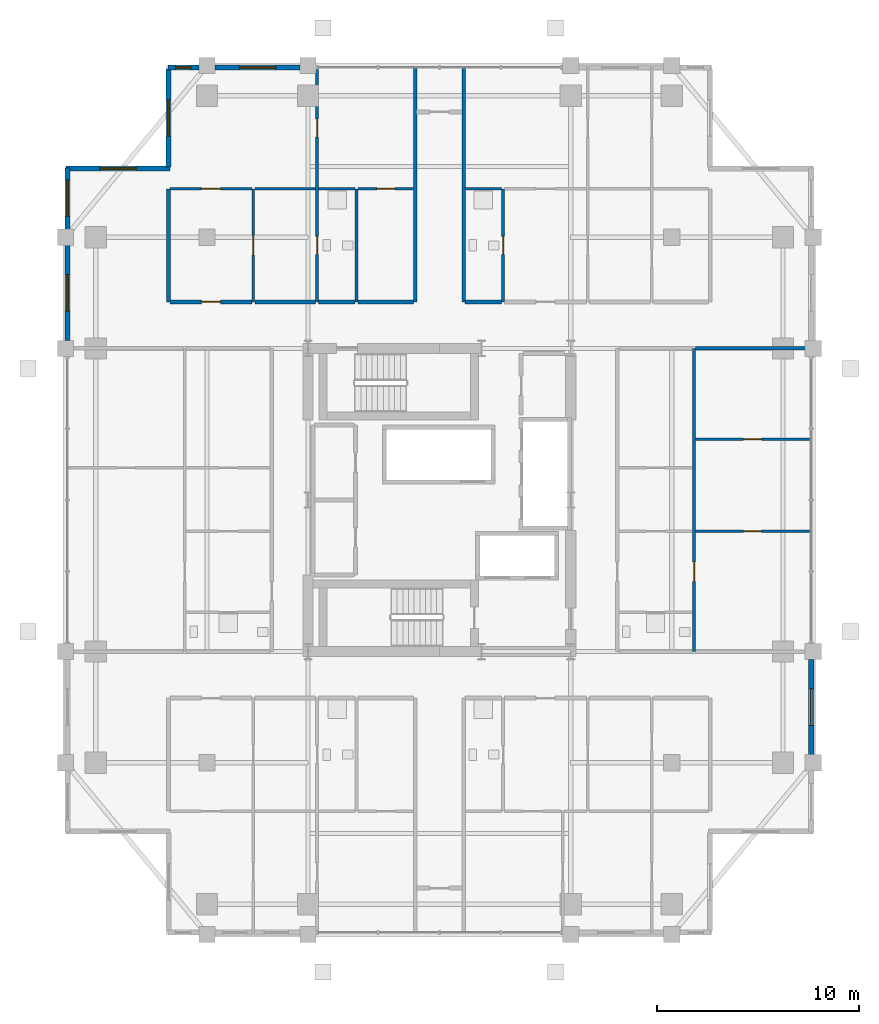
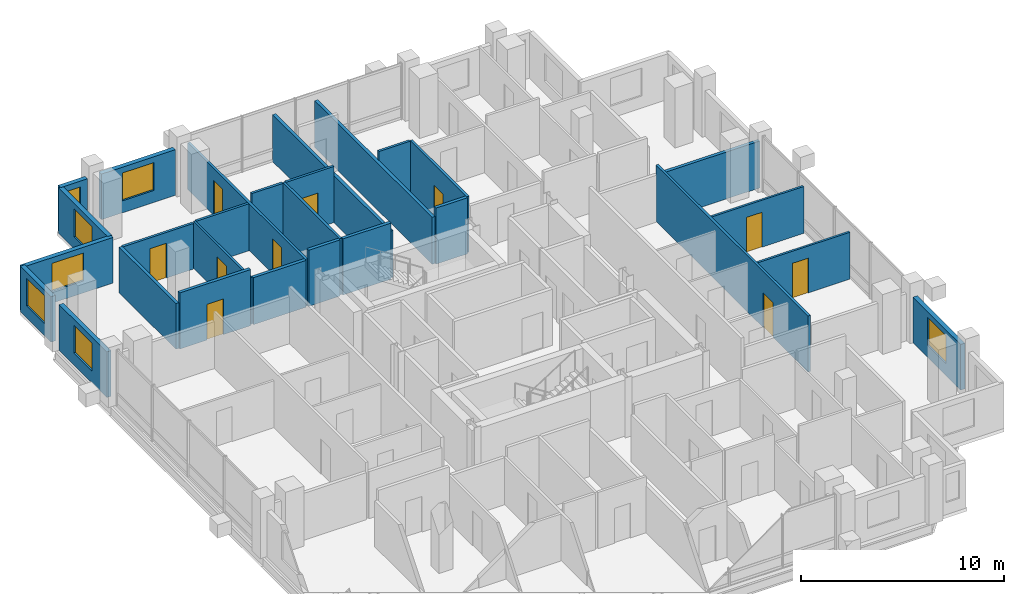
# One storey, part 21 of 24: 28 walls, 10 doors, 7 windows, 17 openings.
"""IFC4 building model written with IfcOpenShell, lengths in metres."""

from ifc_helpers import new_model, si_unit, direction, frame, frame_2d, origin, place, context, subcontext, project, spatial, rectangle, extrude, material, layer, layer_set, type_object, element, fill, save


model = new_model("IFC4")

# Units and contexts
model_context = context("Model", 3, precision=1e-05, world=origin(), true_north=direction((0.0, 1.0)))
body_context = subcontext(model_context, "Body", "Model", "MODEL_VIEW")
ifc_project = project(units=[si_unit("LENGTHUNIT", "METRE"), si_unit("AREAUNIT", "SQUARE_METRE"), si_unit("VOLUMEUNIT", "CUBIC_METRE"), si_unit("PLANEANGLEUNIT", "RADIAN"), si_unit("MASSUNIT", "GRAM", prefix="KILO")], contexts=[model_context])

# Site, building, storey
site_placement = place(None, origin())
site = spatial("IfcSite", under=ifc_project, at=site_placement, CompositionType="ELEMENT")
building_placement = place(site_placement, origin())
building = spatial("IfcBuilding", under=site, at=building_placement, Name="Barlavira Tower and Art Museum", CompositionType="ELEMENT")
storey_placement = place(building_placement, frame((0.0, 0.0, 169.199951171875)))
storey = spatial("IfcBuildingStorey", under=building, at=storey_placement, Name="L43", CompositionType="ELEMENT", Elevation=169.199951171875)

# Wall, opening, door
ifc_material_1 = material(Name="Gypsum acoustic stud partition", Category="gypsum")
ifc_layer_1 = layer(ifc_material_1, 0.1201171875, Name="Gypsum acoustic stud partition")
ifc_layer_set_1 = layer_set([ifc_layer_1], Name="Gypsum acoustic stud partition")
wall_type_1 = type_object("IfcWallType", Name="Apartment Internal Acoustic Partition 120", PredefinedType="PARTITIONING", material=ifc_layer_set_1)
wall_1_placement = place(storey_placement, frame((-9.199951171875, 9.800048828125, 0.0), z_axis=(0.0, 0.0, 1.0), x_axis=(0.0, 1.0, 0.0)))
wall_1 = element("IfcWall", 1, at=wall_1_placement, inside=storey, type_object=wall_type_1, Name="L43 Partition Wall 5", PredefinedType="PARTITIONING", context=body_context, shape_type="SweptSolid", body=[
    extrude(rectangle(XDim=5.599853515625, YDim=0.1201171875, at=frame_2d((2.7998046875, 0.0))), origin(), (0.0, 0.0, 1.0), 2.825927734375),
])
opening_1_placement = place(wall_1_placement, frame((2.324951171875, 0.0, 0.0)))
opening_1 = element("IfcOpeningElement", 2, at=opening_1_placement, cuts=wall_1, Name="Opening D-02", PredefinedType="OPENING", context=body_context, shape_type="SweptSolid", body=[
    extrude(rectangle(XDim=0.949951171875, YDim=2.10009765625, at=frame_2d((0.47509765625, 1.050048828125))), frame((0.0, 0.070068359375, 0.0), z_axis=(0.0, -1.0, 0.0), x_axis=(1.0, 0.0, 0.0)), (0.0, 0.0, 1.0), 0.14013671875),
])
ifc_material_2 = material(Name="Engineered coastal hardwood", Category="wood")
door_type_1 = type_object("IfcDoorType", Name="Living and Salon Glazed-Leaf Door 950x2100", OperationType="NOTDEFINED", PredefinedType="DOOR", material=ifc_material_2)
door_1_placement = place(opening_1_placement, origin())
door_1 = element("IfcDoor", 3, at=door_1_placement, inside=storey, type_object=door_type_1, Name="Apartment NW1 Kitchen Door", OperationType="SINGLE_SWING_RIGHT", OverallHeight=2.10009765625, OverallWidth=0.949951171875, PredefinedType="DOOR", context=body_context, shape_type="SweptSolid", body=[
    extrude(rectangle(XDim=0.949951171875, YDim=2.10009765625, at=frame_2d((0.47509765625, 1.050048828125))), frame((0.0, 0.02490234375, 0.0), z_axis=(0.0, -1.0, 0.0), x_axis=(1.0, 0.0, 0.0)), (0.0, 0.0, 1.0), 0.050048828125),
])
fill(opening_1, door_1)

wall_2_placement = place(storey_placement, frame((12.679931640625, -1.550048828125, 0.0), z_axis=(0.0, 0.0, 1.0), x_axis=(1.0, 0.0, 0.0)))
wall_2 = element("IfcWall", 4, at=wall_2_placement, inside=storey, type_object=wall_type_1, Name="L43 Partition Wall 56", PredefinedType="PARTITIONING", context=body_context, shape_type="SweptSolid", body=[
    extrude(rectangle(XDim=5.64013671875, YDim=0.1201171875, at=frame_2d((2.820068359375, 0.0))), origin(), (0.0, 0.0, 1.0), 2.825927734375),
])
opening_2_placement = place(wall_2_placement, frame((2.3701171875, 0.0, 0.0)))
opening_2 = element("IfcOpeningElement", 5, at=opening_2_placement, cuts=wall_2, Name="Opening D-01", PredefinedType="OPENING", context=body_context, shape_type="SweptSolid", body=[
    extrude(rectangle(XDim=0.89990234375, YDim=2.10009765625, at=frame_2d((0.449951171875, 1.050048828125))), frame((0.0, 0.070068359375, 0.0), z_axis=(0.0, -1.0, 0.0), x_axis=(1.0, 0.0, 0.0)), (0.0, 0.0, 1.0), 0.14013671875),
])
door_type_2 = type_object("IfcDoorType", Name="Internal Bedroom Timber Flush Door 900x2100", OperationType="NOTDEFINED", PredefinedType="DOOR", material=ifc_material_2)
door_2_placement = place(opening_2_placement, origin())
door_2 = element("IfcDoor", 6, at=door_2_placement, inside=storey, type_object=door_type_2, Name="Apartment E1 Bedroom 1 Door", OperationType="SINGLE_SWING_LEFT", OverallHeight=2.10009765625, OverallWidth=0.89990234375, PredefinedType="DOOR", context=body_context, shape_type="SweptSolid", body=[
    extrude(rectangle(XDim=0.89990234375, YDim=2.10009765625, at=frame_2d((0.449951171875, 1.050048828125))), frame((0.0, 0.02490234375, 0.0), z_axis=(0.0, -1.0, 0.0), x_axis=(1.0, 0.0, 0.0)), (0.0, 0.0, 1.0), 0.050048828125),
])
fill(opening_2, door_2)

wall_3_placement = place(storey_placement, frame((12.679931640625, 3.0, 0.0), z_axis=(0.0, 0.0, 1.0), x_axis=(1.0, 0.0, 0.0)))
wall_3 = element("IfcWall", 7, at=wall_3_placement, inside=storey, type_object=wall_type_1, Name="L43 Partition Wall 61", PredefinedType="PARTITIONING", context=body_context, shape_type="SweptSolid", body=[
    extrude(rectangle(XDim=5.64013671875, YDim=0.1201171875, at=frame_2d((2.820068359375, 0.0))), origin(), (0.0, 0.0, 1.0), 2.825927734375),
])
opening_3_placement = place(wall_3_placement, frame((2.3701171875, 0.0, 0.0)))
opening_3 = element("IfcOpeningElement", 8, at=opening_3_placement, cuts=wall_3, Name="Opening D-01", PredefinedType="OPENING", context=body_context, shape_type="SweptSolid", body=[
    extrude(rectangle(XDim=0.89990234375, YDim=2.10009765625, at=frame_2d((0.449951171875, 1.050048828125))), frame((0.0, 0.070068359375, 0.0), z_axis=(0.0, -1.0, 0.0), x_axis=(1.0, 0.0, 0.0)), (0.0, 0.0, 1.0), 0.14013671875),
])
door_3_placement = place(opening_3_placement, origin())
door_3 = element("IfcDoor", 9, at=door_3_placement, inside=storey, type_object=door_type_2, Name="Apartment E1 Bedroom 2 Door", OperationType="SINGLE_SWING_RIGHT", OverallHeight=2.10009765625, OverallWidth=0.89990234375, PredefinedType="DOOR", context=body_context, shape_type="SweptSolid", body=[
    extrude(rectangle(XDim=0.89990234375, YDim=2.10009765625, at=frame_2d((0.449951171875, 1.050048828125))), frame((0.0, 0.02490234375, 0.0), z_axis=(0.0, -1.0, 0.0), x_axis=(1.0, 0.0, 0.0)), (0.0, 0.0, 1.0), 0.050048828125),
])
fill(opening_3, door_3)

# Walls
ifc_layer_2 = layer(ifc_material_1, 0.179931640625, Name="Gypsum acoustic stud partition")
ifc_layer_set_2 = layer_set([ifc_layer_2], Name="Gypsum acoustic stud partition")
wall_type_2 = type_object("IfcWallType", Name="Inter-Tenancy Party Partition Wall 180", PredefinedType="PARTITIONING", material=ifc_layer_set_2)
wall_4_placement = place(storey_placement, frame((-13.39990234375, 9.800048828125, 0.0), z_axis=(0.0, 0.0, 1.0), x_axis=(0.0, 1.0, 0.0)))
element("IfcWall", 10, at=wall_4_placement, inside=storey, type_object=wall_type_2, Name="L43 Partition Wall 2", PredefinedType="PARTITIONING", context=body_context, shape_type="SweptSolid", body=[
    extrude(rectangle(XDim=5.599853515625, YDim=0.179931640625, at=frame_2d((2.7998046875, 0.0))), origin(), (0.0, 0.0, 1.0), 2.748046875),
])
for number, where, z_axis, x_axis, name in (
    (11, (-1.199951171875, 9.800048828125, 0.0), (0.0, 0.0, 1.0), (0.0, 1.0, 0.0), "L43 Partition Wall 14"),
    (12, (1.199951171875, 9.800048828125, 0.0), (0.0, 0.0, 1.0), (0.0, 1.0, 0.0), "L43 Partition Wall 16"),
):
    element("IfcWall", number, at=place(storey_placement, frame(where, z_axis=z_axis, x_axis=x_axis)), inside=storey, type_object=wall_type_2, Name=name, PredefinedType="PARTITIONING", context=body_context, shape_type="SweptSolid", body=[
        extrude(rectangle(XDim=11.599853515625, YDim=0.179931640625, at=frame_2d((5.7998046875, 0.0))), origin(), (0.0, 0.0, 1.0), 2.825927734375),
    ])
wall_5_placement = place(storey_placement, frame((12.679931640625, 7.5, 0.0), z_axis=(0.0, 0.0, 1.0), x_axis=(1.0, 0.0, 0.0)))
element("IfcWall", 13, at=wall_5_placement, inside=storey, type_object=wall_type_2, Name="L43 Partition Wall 67", PredefinedType="PARTITIONING", context=body_context, shape_type="SweptSolid", body=[
    extrude(rectangle(XDim=5.719970703125, YDim=0.179931640625, at=frame_2d((2.85986328125, 0.0))), origin(), (0.0, 0.0, 1.0), 2.825927734375),
])

# Wall, opening, door
wall_6_placement = place(storey_placement, frame((-13.320068359375, 9.800048828125, 0.0), z_axis=(0.0, 0.0, 1.0), x_axis=(1.0, 0.0, 0.0)))
wall_6 = element("IfcWall", 14, at=wall_6_placement, inside=storey, type_object=wall_type_2, Name="L43 Partition Wall 68", PredefinedType="PARTITIONING", context=body_context, shape_type="SweptSolid", body=[
    extrude(rectangle(XDim=4.0400390625, YDim=0.179931640625, at=frame_2d((2.02001953125, 0.0))), origin(), (0.0, 0.0, 1.0), 3.380126953125),
])
opening_4_placement = place(wall_6_placement, frame((1.544921875, 0.0, 0.0)))
opening_4 = element("IfcOpeningElement", 15, at=opening_4_placement, cuts=wall_6, Name="Opening FD-60", PredefinedType="OPENING", context=body_context, shape_type="SweptSolid", body=[
    extrude(rectangle(XDim=0.949951171875, YDim=2.14990234375, at=frame_2d((0.47509765625, 1.074951171875))), frame((0.0, 0.10009765625, 0.0), z_axis=(0.0, -1.0, 0.0), x_axis=(1.0, 0.0, 0.0)), (0.0, 0.0, 1.0), 0.199951171875),
])
ifc_material_3 = material(Name="Brushed stainless steel", Category="steel")
door_type_3 = type_object("IfcDoorType", Name="Apartment Entrance and Riser Fire Door 950x2150 FD60S", OperationType="NOTDEFINED", PredefinedType="DOOR", material=ifc_material_3)
door_4_placement = place(opening_4_placement, origin())
door_4 = element("IfcDoor", 16, at=door_4_placement, inside=storey, type_object=door_type_3, Name="Apartment Entrance Hall NW1 Door", OperationType="SINGLE_SWING_LEFT", OverallHeight=2.14990234375, OverallWidth=0.949951171875, PredefinedType="DOOR", context=body_context, shape_type="SweptSolid", body=[
    extrude(rectangle(XDim=0.949951171875, YDim=2.14990234375, at=frame_2d((0.47509765625, 1.074951171875))), frame((0.0, 0.02490234375, 0.0), z_axis=(0.0, -1.0, 0.0), x_axis=(1.0, 0.0, 0.0)), (0.0, 0.0, 1.0), 0.050048828125),
])
fill(opening_4, door_4)

# Walls
wall_7_placement = place(storey_placement, frame((-9.1201171875, 9.800048828125, 0.0), z_axis=(0.0, 0.0, 1.0), x_axis=(1.0, 0.0, 0.0)))
element("IfcWall", 17, at=wall_7_placement, inside=storey, type_object=wall_type_2, Name="L43 Partition Wall 69", PredefinedType="PARTITIONING", context=body_context, shape_type="SweptSolid", body=[
    extrude(rectangle(XDim=2.990234375, YDim=0.179931640625, at=frame_2d((1.4951171875, 0.0))), origin(), (0.0, 0.0, 1.0), 2.825927734375),
])
wall_8_placement = place(storey_placement, frame((-5.969970703125, 9.800048828125, 0.0), z_axis=(0.0, 0.0, 1.0), x_axis=(1.0, 0.0, 0.0)))
element("IfcWall", 18, at=wall_8_placement, inside=storey, type_object=wall_type_2, Name="L43 Partition Wall 70", PredefinedType="PARTITIONING", context=body_context, shape_type="SweptSolid", body=[
    extrude(rectangle(XDim=1.7900390625, YDim=0.179931640625, at=frame_2d((0.89501953125, 0.0))), origin(), (0.0, 0.0, 1.0), 3.380126953125),
])
wall_9_placement = place(storey_placement, frame((-4.02001953125, 9.800048828125, 0.0), z_axis=(0.0, 0.0, 1.0), x_axis=(1.0, 0.0, 0.0)))
element("IfcWall", 19, at=wall_9_placement, inside=storey, type_object=wall_type_2, Name="L43 Partition Wall 71", PredefinedType="PARTITIONING", context=body_context, shape_type="SweptSolid", body=[
    extrude(rectangle(XDim=2.739990234375, YDim=0.179931640625, at=frame_2d((1.3701171875, 0.0))), origin(), (0.0, 0.0, 1.0), 3.380126953125),
])
wall_10_placement = place(storey_placement, frame((1.280029296875, 9.800048828125, 0.0), z_axis=(0.0, 0.0, 1.0), x_axis=(1.0, 0.0, 0.0)))
element("IfcWall", 20, at=wall_10_placement, inside=storey, type_object=wall_type_2, Name="L43 Partition Wall 72", PredefinedType="PARTITIONING", context=body_context, shape_type="SweptSolid", body=[
    extrude(rectangle(XDim=1.7900390625, YDim=0.179931640625, at=frame_2d((0.89501953125, 0.0))), origin(), (0.0, 0.0, 1.0), 3.380126953125),
])

# Wall, openings, doors
ifc_layer_3 = layer(ifc_material_1, 0.139892578125, Name="Gypsum acoustic stud partition")
ifc_layer_set_3 = layer_set([ifc_layer_3], Name="Gypsum acoustic stud partition")
wall_type_3 = type_object("IfcWallType", Name="Moisture-Resistant Bathroom Partition 140", PredefinedType="PARTITIONING", material=ifc_layer_set_3)
wall_11_placement = place(storey_placement, frame((-6.050048828125, 9.800048828125, 0.0), z_axis=(0.0, 0.0, 1.0), x_axis=(0.0, 1.0, 0.0)))
wall_11 = element("IfcWall", 21, at=wall_11_placement, inside=storey, type_object=wall_type_3, Name="L43 Partition Wall 9", PredefinedType="PARTITIONING", context=body_context, shape_type="SweptSolid", body=[
    extrude(rectangle(XDim=11.599853515625, YDim=0.139892578125, at=frame_2d((5.7998046875, 0.0))), origin(), (0.0, 0.0, 1.0), 2.825927734375),
])
opening_5_placement = place(wall_11_placement, frame((2.35009765625, 0.0, 0.0)))
opening_5 = element("IfcOpeningElement", 22, at=opening_5_placement, cuts=wall_11, Name="Opening D-WC", PredefinedType="OPENING", context=body_context, shape_type="SweptSolid", body=[
    extrude(rectangle(XDim=0.89990234375, YDim=2.10009765625, at=frame_2d((0.449951171875, 1.050048828125))), frame((0.0, 0.080078125, 0.0), z_axis=(0.0, -1.0, 0.0), x_axis=(1.0, 0.0, 0.0)), (0.0, 0.0, 1.0), 0.159912109375),
])
opening_6_placement = place(wall_11_placement, frame((8.14990234375, 0.0, 0.0)))
opening_6 = element("IfcOpeningElement", 23, at=opening_6_placement, cuts=wall_11, Name="Opening D-01", PredefinedType="OPENING", context=body_context, shape_type="SweptSolid", body=[
    extrude(rectangle(XDim=0.89990234375, YDim=2.10009765625, at=frame_2d((0.449951171875, 1.050048828125))), frame((0.0, 0.080078125, 0.0), z_axis=(0.0, -1.0, 0.0), x_axis=(1.0, 0.0, 0.0)), (0.0, 0.0, 1.0), 0.159912109375),
])
door_type_4 = type_object("IfcDoorType", Name="Accessible Bathroom Flush Door 900x2100", OperationType="NOTDEFINED", PredefinedType="DOOR", material=ifc_material_2)
door_5_placement = place(opening_5_placement, origin())
door_5 = element("IfcDoor", 24, at=door_5_placement, inside=storey, type_object=door_type_4, Name="Apartment NW1 Hall Bathroom Door", OperationType="SINGLE_SWING_LEFT", OverallHeight=2.10009765625, OverallWidth=0.89990234375, PredefinedType="DOOR", context=body_context, shape_type="SweptSolid", body=[
    extrude(rectangle(XDim=0.89990234375, YDim=2.10009765625, at=frame_2d((0.449951171875, 1.050048828125))), frame((0.0, 0.02490234375, 0.0), z_axis=(0.0, -1.0, 0.0), x_axis=(1.0, 0.0, 0.0)), (0.0, 0.0, 1.0), 0.050048828125),
])
fill(opening_5, door_5)
door_6_placement = place(opening_6_placement, origin())
door_6 = element("IfcDoor", 25, at=door_6_placement, inside=storey, type_object=door_type_2, Name="Apartment NW1 Bedroom 1 Door", OperationType="SINGLE_SWING_RIGHT", OverallHeight=2.10009765625, OverallWidth=0.89990234375, PredefinedType="DOOR", context=body_context, shape_type="SweptSolid", body=[
    extrude(rectangle(XDim=0.89990234375, YDim=2.10009765625, at=frame_2d((0.449951171875, 1.050048828125))), frame((0.0, 0.02490234375, 0.0), z_axis=(0.0, -1.0, 0.0), x_axis=(1.0, 0.0, 0.0)), (0.0, 0.0, 1.0), 0.050048828125),
])
fill(opening_6, door_6)

# Wall
wall_12_placement = place(storey_placement, frame((-4.10009765625, 9.800048828125, 0.0), z_axis=(0.0, 0.0, 1.0), x_axis=(0.0, 1.0, 0.0)))
element("IfcWall", 26, at=wall_12_placement, inside=storey, type_object=wall_type_3, Name="L43 Partition Wall 12", PredefinedType="PARTITIONING", context=body_context, shape_type="SweptSolid", body=[
    extrude(rectangle(XDim=5.599853515625, YDim=0.139892578125, at=frame_2d((2.7998046875, 0.0))), origin(), (0.0, 0.0, 1.0), 3.380126953125),
])

# Wall, opening, door
wall_13_placement = place(storey_placement, frame((3.14990234375, 9.800048828125, 0.0), z_axis=(0.0, 0.0, 1.0), x_axis=(0.0, 1.0, 0.0)))
wall_13 = element("IfcWall", 27, at=wall_13_placement, inside=storey, type_object=wall_type_3, Name="L43 Partition Wall 18", PredefinedType="PARTITIONING", context=body_context, shape_type="SweptSolid", body=[
    extrude(rectangle(XDim=5.599853515625, YDim=0.139892578125, at=frame_2d((2.7998046875, 0.0))), origin(), (0.0, 0.0, 1.0), 3.380126953125),
])
opening_7_placement = place(wall_13_placement, frame((2.35009765625, 0.0, 0.0)))
opening_7 = element("IfcOpeningElement", 28, at=opening_7_placement, cuts=wall_13, Name="Opening D-WC", PredefinedType="OPENING", context=body_context, shape_type="SweptSolid", body=[
    extrude(rectangle(XDim=0.89990234375, YDim=2.10009765625, at=frame_2d((0.449951171875, 1.050048828125))), frame((0.0, 0.080078125, 0.0), z_axis=(0.0, -1.0, 0.0), x_axis=(1.0, 0.0, 0.0)), (0.0, 0.0, 1.0), 0.159912109375),
])
door_7_placement = place(opening_7_placement, origin())
door_7 = element("IfcDoor", 29, at=door_7_placement, inside=storey, type_object=door_type_4, Name="Apartment NE1 Hall Bathroom Door", OperationType="SINGLE_SWING_LEFT", OverallHeight=2.10009765625, OverallWidth=0.89990234375, PredefinedType="DOOR", context=body_context, shape_type="SweptSolid", body=[
    extrude(rectangle(XDim=0.89990234375, YDim=2.10009765625, at=frame_2d((0.449951171875, 1.050048828125))), frame((0.0, 0.02490234375, 0.0), z_axis=(0.0, -1.0, 0.0), x_axis=(1.0, 0.0, 0.0)), (0.0, 0.0, 1.0), 0.050048828125),
])
fill(opening_7, door_7)

wall_14_placement = place(storey_placement, frame((12.60009765625, -7.5, 0.0), z_axis=(0.0, 0.0, 1.0), x_axis=(0.0, 1.0, 0.0)))
wall_14 = element("IfcWall", 30, at=wall_14_placement, inside=storey, type_object=wall_type_3, Name="L43 Partition Wall 26", PredefinedType="PARTITIONING", context=body_context, shape_type="SweptSolid", body=[
    extrude(rectangle(XDim=15.0, YDim=0.139892578125, at=frame_2d((7.5, 0.0))), origin(), (0.0, 0.0, 1.0), 3.380126953125),
])
opening_8_placement = place(wall_14_placement, frame((3.47509765625, 0.0, 0.0)))
opening_8 = element("IfcOpeningElement", 31, at=opening_8_placement, cuts=wall_14, Name="Opening D-02", PredefinedType="OPENING", context=body_context, shape_type="SweptSolid", body=[
    extrude(rectangle(XDim=0.949951171875, YDim=2.10009765625, at=frame_2d((0.47509765625, 1.050048828125))), frame((0.0, 0.080078125, 0.0), z_axis=(0.0, -1.0, 0.0), x_axis=(1.0, 0.0, 0.0)), (0.0, 0.0, 1.0), 0.159912109375),
])
door_8_placement = place(opening_8_placement, origin())
door_8 = element("IfcDoor", 32, at=door_8_placement, inside=storey, type_object=door_type_1, Name="Apartment E1 Living Lounge Door", OperationType="SINGLE_SWING_RIGHT", OverallHeight=2.10009765625, OverallWidth=0.949951171875, PredefinedType="DOOR", context=body_context, shape_type="SweptSolid", body=[
    extrude(rectangle(XDim=0.949951171875, YDim=2.10009765625, at=frame_2d((0.47509765625, 1.050048828125))), frame((0.0, 0.02490234375, 0.0), z_axis=(0.0, -1.0, 0.0), x_axis=(1.0, 0.0, 0.0)), (0.0, 0.0, 1.0), 0.050048828125),
])
fill(opening_8, door_8)

wall_15_placement = place(storey_placement, frame((-13.320068359375, 15.39990234375, 0.0), z_axis=(0.0, 0.0, 1.0), x_axis=(1.0, 0.0, 0.0)))
wall_15 = element("IfcWall", 33, at=wall_15_placement, inside=storey, type_object=wall_type_3, Name="L43 Partition Wall 76", PredefinedType="PARTITIONING", context=body_context, shape_type="SweptSolid", body=[
    extrude(rectangle(XDim=4.0400390625, YDim=0.139892578125, at=frame_2d((2.02001953125, 0.0))), origin(), (0.0, 0.0, 1.0), 2.748046875),
])
opening_9_placement = place(wall_15_placement, frame((1.544921875, 0.0, 0.0)))
opening_9 = element("IfcOpeningElement", 34, at=opening_9_placement, cuts=wall_15, Name="Opening D-02", PredefinedType="OPENING", context=body_context, shape_type="SweptSolid", body=[
    extrude(rectangle(XDim=0.949951171875, YDim=2.10009765625, at=frame_2d((0.47509765625, 1.050048828125))), frame((0.0, 0.080078125, 0.0), z_axis=(0.0, -1.0, 0.0), x_axis=(1.0, 0.0, 0.0)), (0.0, 0.0, 1.0), 0.159912109375),
])
door_9_placement = place(opening_9_placement, origin())
door_9 = element("IfcDoor", 35, at=door_9_placement, inside=storey, type_object=door_type_1, Name="Apartment NW1 Living Lounge Door", OperationType="SINGLE_SWING_LEFT", OverallHeight=2.10009765625, OverallWidth=0.949951171875, PredefinedType="DOOR", context=body_context, shape_type="SweptSolid", body=[
    extrude(rectangle(XDim=0.949951171875, YDim=2.10009765625, at=frame_2d((0.47509765625, 1.050048828125))), frame((0.0, 0.02490234375, 0.0), z_axis=(0.0, -1.0, 0.0), x_axis=(1.0, 0.0, 0.0)), (0.0, 0.0, 1.0), 0.050048828125),
])
fill(opening_9, door_9)

# Walls
wall_16_placement = place(storey_placement, frame((-9.1201171875, 15.39990234375, 0.0), z_axis=(0.0, 0.0, 1.0), x_axis=(1.0, 0.0, 0.0)))
element("IfcWall", 36, at=wall_16_placement, inside=storey, type_object=wall_type_3, Name="L43 Partition Wall 77", PredefinedType="PARTITIONING", context=body_context, shape_type="SweptSolid", body=[
    extrude(rectangle(XDim=2.990234375, YDim=0.139892578125, at=frame_2d((1.4951171875, 0.0))), origin(), (0.0, 0.0, 1.0), 2.825927734375),
])
wall_17_placement = place(storey_placement, frame((-5.969970703125, 15.39990234375, 0.0), z_axis=(0.0, 0.0, 1.0), x_axis=(1.0, 0.0, 0.0)))
element("IfcWall", 37, at=wall_17_placement, inside=storey, type_object=wall_type_3, Name="L43 Partition Wall 78", PredefinedType="PARTITIONING", context=body_context, shape_type="SweptSolid", body=[
    extrude(rectangle(XDim=1.7900390625, YDim=0.139892578125, at=frame_2d((0.89501953125, 0.0))), origin(), (0.0, 0.0, 1.0), 3.380126953125),
])

# Wall, opening, door
wall_18_placement = place(storey_placement, frame((-4.02001953125, 15.39990234375, 0.0), z_axis=(0.0, 0.0, 1.0), x_axis=(1.0, 0.0, 0.0)))
wall_18 = element("IfcWall", 38, at=wall_18_placement, inside=storey, type_object=wall_type_3, Name="L43 Partition Wall 79", PredefinedType="PARTITIONING", context=body_context, shape_type="SweptSolid", body=[
    extrude(rectangle(XDim=2.739990234375, YDim=0.139892578125, at=frame_2d((1.3701171875, 0.0))), origin(), (0.0, 0.0, 1.0), 3.380126953125),
])
opening_10_placement = place(wall_18_placement, frame((0.929931640625, 0.0, 0.0)))
opening_10 = element("IfcOpeningElement", 39, at=opening_10_placement, cuts=wall_18, Name="Opening D-01", PredefinedType="OPENING", context=body_context, shape_type="SweptSolid", body=[
    extrude(rectangle(XDim=0.89990234375, YDim=2.10009765625, at=frame_2d((0.449951171875, 1.050048828125))), frame((0.0, 0.080078125, 0.0), z_axis=(0.0, -1.0, 0.0), x_axis=(1.0, 0.0, 0.0)), (0.0, 0.0, 1.0), 0.159912109375),
])
door_10_placement = place(opening_10_placement, origin())
door_10 = element("IfcDoor", 40, at=door_10_placement, inside=storey, type_object=door_type_2, Name="Apartment NW1 Walk-In Dressing Room Door", OperationType="SINGLE_SWING_RIGHT", OverallHeight=2.10009765625, OverallWidth=0.89990234375, PredefinedType="DOOR", context=body_context, shape_type="SweptSolid", body=[
    extrude(rectangle(XDim=0.89990234375, YDim=2.10009765625, at=frame_2d((0.449951171875, 1.050048828125))), frame((0.0, 0.02490234375, 0.0), z_axis=(0.0, -1.0, 0.0), x_axis=(1.0, 0.0, 0.0)), (0.0, 0.0, 1.0), 0.050048828125),
])
fill(opening_10, door_10)

# Wall
wall_19_placement = place(storey_placement, frame((1.280029296875, 15.39990234375, 0.0), z_axis=(0.0, 0.0, 1.0), x_axis=(1.0, 0.0, 0.0)))
element("IfcWall", 41, at=wall_19_placement, inside=storey, type_object=wall_type_3, Name="L43 Partition Wall 80", PredefinedType="PARTITIONING", context=body_context, shape_type="SweptSolid", body=[
    extrude(rectangle(XDim=1.7900390625, YDim=0.139892578125, at=frame_2d((0.89501953125, 0.0))), origin(), (0.0, 0.0, 1.0), 3.380126953125),
])

# Wall, opening, window
ifc_material_4 = material(Name="Precast concrete C40", Category="concrete")
ifc_layer_4 = layer(ifc_material_4, 0.25, Name="Precast concrete C40")
ifc_layer_set_4 = layer_set([ifc_layer_4], Name="Precast concrete C40")
wall_type_4 = type_object("IfcWallType", Name="Notched Corner Spandrel Wall 250 Precast Concrete C40", PredefinedType="SOLIDWALL", material=ifc_layer_set_4)
wall_20_placement = place(storey_placement, frame((-6.89501953125, 21.39990234375, 0.0), z_axis=(0.0, 0.0, 1.0), x_axis=(-1.0, 0.0, 0.0)))
wall_20 = element("IfcWall", 42, at=wall_20_placement, inside=storey, type_object=wall_type_4, Name="L43 Coastal Facade Pier Wall CW3-L43-N-4", PredefinedType="SOLIDWALL", context=body_context, shape_type="SweptSolid", body=[
    extrude(rectangle(XDim=4.2099609375, YDim=0.25, at=frame_2d((2.10498046875, 0.0))), origin(), (0.0, 0.0, 1.0), 2.748046875),
])
opening_11_placement = place(wall_20_placement, frame((1.205078125, 0.0, 0.719970703125)))
opening_11 = element("IfcOpeningElement", 43, at=opening_11_placement, cuts=wall_20, Name="Opening WN-01", PredefinedType="OPENING", context=body_context, shape_type="SweptSolid", body=[
    extrude(rectangle(XDim=1.800048828125, YDim=1.679931640625, at=frame_2d((0.89990234375, 0.83984375))), frame((0.0, 0.135009765625, 0.0), z_axis=(0.0, -1.0, 0.0), x_axis=(1.0, 0.0, 0.0)), (0.0, 0.0, 1.0), 0.27001953125),
])
ifc_material_5 = material(Name="Low-iron coastal laminated glass", Category="glass")
window_type_1 = type_object("IfcWindowType", Name="Recessed Notch Corner Punch Window 1800x1680", PartitioningType="SINGLE_PANEL", PredefinedType="WINDOW", material=ifc_material_5)
window_1_placement = place(opening_11_placement, origin())
window_1 = element("IfcWindow", 44, at=window_1_placement, inside=storey, type_object=window_type_1, Name="L43 Punched Facade Window EWP-CW3-L43-N-4-1", OverallHeight=1.679931640625, OverallWidth=1.800048828125, PartitioningType="SINGLE_PANEL", PredefinedType="WINDOW", context=body_context, shape_type="SweptSolid", body=[
    extrude(rectangle(XDim=1.800048828125, YDim=1.679931640625, at=frame_2d((0.89990234375, 0.83984375))), frame((0.0, 0.030029296875, 0.0), z_axis=(0.0, -1.0, 0.0), x_axis=(1.0, 0.0, 0.0)), (0.0, 0.0, 1.0), 0.06005859375),
])
fill(opening_11, window_1)

wall_21_placement = place(storey_placement, frame((-11.89501953125, 21.39990234375, 0.0), z_axis=(0.0, 0.0, 1.0), x_axis=(-1.0, 0.0, 0.0)))
wall_21 = element("IfcWall", 45, at=wall_21_placement, inside=storey, type_object=wall_type_4, Name="L43 Coastal Facade Pier Wall CW3-L43-N-5", PredefinedType="SOLIDWALL", context=body_context, shape_type="SweptSolid", body=[
    extrude(rectangle(XDim=1.530029296875, YDim=0.25, at=frame_2d((0.76513671875, 0.0))), origin(), (0.0, 0.0, 1.0), 2.748046875),
])
opening_12_placement = place(wall_21_placement, frame((0.407958984375, 0.0, 0.719970703125)))
opening_12 = element("IfcOpeningElement", 46, at=opening_12_placement, cuts=wall_21, Name="Opening WN-06", PredefinedType="OPENING", context=body_context, shape_type="SweptSolid", body=[
    extrude(rectangle(XDim=0.760009765625, YDim=1.679931640625, at=frame_2d((0.3798828125, 0.83984375))), frame((0.0, 0.135009765625, 0.0), z_axis=(0.0, -1.0, 0.0), x_axis=(1.0, 0.0, 0.0)), (0.0, 0.0, 1.0), 0.27001953125),
])
window_type_2 = type_object("IfcWindowType", Name="Recessed Narrow Pier Window 760x1680", PartitioningType="SINGLE_PANEL", PredefinedType="WINDOW", material=ifc_material_5)
window_2_placement = place(opening_12_placement, origin())
window_2 = element("IfcWindow", 47, at=window_2_placement, inside=storey, type_object=window_type_2, Name="L43 Punched Facade Window EWP-CW3-L43-N-5-1", OverallHeight=1.679931640625, OverallWidth=0.760009765625, PartitioningType="SINGLE_PANEL", PredefinedType="WINDOW", context=body_context, shape_type="SweptSolid", body=[
    extrude(rectangle(XDim=0.760009765625, YDim=1.679931640625, at=frame_2d((0.3798828125, 0.83984375))), frame((0.0, 0.030029296875, 0.0), z_axis=(0.0, -1.0, 0.0), x_axis=(1.0, 0.0, 0.0)), (0.0, 0.0, 1.0), 0.06005859375),
])
fill(opening_12, window_2)

wall_22_placement = place(storey_placement, frame((-18.39990234375, 16.425048828125, 0.0), z_axis=(0.0, 0.0, 1.0), x_axis=(0.0, -1.0, 0.0)))
wall_22 = element("IfcWall", 48, at=wall_22_placement, inside=storey, type_object=wall_type_4, Name="L43 Coastal Facade Pier Wall CW3-L43-W-1", PredefinedType="SOLIDWALL", context=body_context, shape_type="SweptSolid", body=[
    extrude(rectangle(XDim=3.030029296875, YDim=0.25, at=frame_2d((1.51513671875, 0.0))), origin(), (0.0, 0.0, 1.0), 2.748046875),
])
opening_13_placement = place(wall_22_placement, frame((0.593017578125, 0.0, 0.719970703125)))
opening_13 = element("IfcOpeningElement", 49, at=opening_13_placement, cuts=wall_22, Name="Opening WN-01", PredefinedType="OPENING", context=body_context, shape_type="SweptSolid", body=[
    extrude(rectangle(XDim=1.800048828125, YDim=1.679931640625, at=frame_2d((0.89990234375, 0.83984375))), frame((0.0, 0.135009765625, 0.0), z_axis=(0.0, -1.0, 0.0), x_axis=(1.0, 0.0, 0.0)), (0.0, 0.0, 1.0), 0.27001953125),
])
window_3_placement = place(opening_13_placement, origin())
window_3 = element("IfcWindow", 50, at=window_3_placement, inside=storey, type_object=window_type_1, Name="L43 Punched Facade Window EWP-CW3-L43-W-1-1", OverallHeight=1.679931640625, OverallWidth=1.800048828125, PartitioningType="SINGLE_PANEL", PredefinedType="WINDOW", context=body_context, shape_type="SweptSolid", body=[
    extrude(rectangle(XDim=1.800048828125, YDim=1.679931640625, at=frame_2d((0.89990234375, 0.83984375))), frame((0.0, 0.030029296875, 0.0), z_axis=(0.0, -1.0, 0.0), x_axis=(1.0, 0.0, 0.0)), (0.0, 0.0, 1.0), 0.06005859375),
])
fill(opening_13, window_3)

wall_23_placement = place(storey_placement, frame((-18.39990234375, 12.60498046875, 0.0), z_axis=(0.0, 0.0, 1.0), x_axis=(0.0, -1.0, 0.0)))
wall_23 = element("IfcWall", 51, at=wall_23_placement, inside=storey, type_object=wall_type_4, Name="L43 Coastal Facade Pier Wall CW3-L43-W-2", PredefinedType="SOLIDWALL", context=body_context, shape_type="SweptSolid", body=[
    extrude(rectangle(XDim=4.7099609375, YDim=0.25, at=frame_2d((2.35498046875, 0.0))), origin(), (0.0, 0.0, 1.0), 2.748046875),
])
opening_14_placement = place(wall_23_placement, frame((1.455078125, 0.0, 0.719970703125)))
opening_14 = element("IfcOpeningElement", 52, at=opening_14_placement, cuts=wall_23, Name="Opening WN-01", PredefinedType="OPENING", context=body_context, shape_type="SweptSolid", body=[
    extrude(rectangle(XDim=1.800048828125, YDim=1.679931640625, at=frame_2d((0.89990234375, 0.83984375))), frame((0.0, 0.135009765625, 0.0), z_axis=(0.0, -1.0, 0.0), x_axis=(1.0, 0.0, 0.0)), (0.0, 0.0, 1.0), 0.27001953125),
])
window_4_placement = place(opening_14_placement, origin())
window_4 = element("IfcWindow", 53, at=window_4_placement, inside=storey, type_object=window_type_1, Name="L43 Punched Facade Window EWP-CW3-L43-W-2-1", OverallHeight=1.679931640625, OverallWidth=1.800048828125, PartitioningType="SINGLE_PANEL", PredefinedType="WINDOW", context=body_context, shape_type="SweptSolid", body=[
    extrude(rectangle(XDim=1.800048828125, YDim=1.679931640625, at=frame_2d((0.89990234375, 0.83984375))), frame((0.0, 0.030029296875, 0.0), z_axis=(0.0, -1.0, 0.0), x_axis=(1.0, 0.0, 0.0)), (0.0, 0.0, 1.0), 0.06005859375),
])
fill(opening_14, window_4)

wall_24_placement = place(storey_placement, frame((18.39990234375, -12.60498046875, 0.0), z_axis=(0.0, 0.0, 1.0), x_axis=(0.0, 1.0, 0.0)))
wall_24 = element("IfcWall", 54, at=wall_24_placement, inside=storey, type_object=wall_type_4, Name="L43 Coastal Facade Pier Wall CW3-L43-E-2", PredefinedType="SOLIDWALL", context=body_context, shape_type="SweptSolid", body=[
    extrude(rectangle(XDim=4.7099609375, YDim=0.25, at=frame_2d((2.35498046875, 0.0))), origin(), (0.0, 0.0, 1.0), 2.748046875),
])
opening_15_placement = place(wall_24_placement, frame((1.455078125, 0.0, 0.719970703125)))
opening_15 = element("IfcOpeningElement", 55, at=opening_15_placement, cuts=wall_24, Name="Opening WN-01", PredefinedType="OPENING", context=body_context, shape_type="SweptSolid", body=[
    extrude(rectangle(XDim=1.800048828125, YDim=1.679931640625, at=frame_2d((0.89990234375, 0.83984375))), frame((0.0, 0.135009765625, 0.0), z_axis=(0.0, -1.0, 0.0), x_axis=(1.0, 0.0, 0.0)), (0.0, 0.0, 1.0), 0.27001953125),
])
window_5_placement = place(opening_15_placement, origin())
window_5 = element("IfcWindow", 56, at=window_5_placement, inside=storey, type_object=window_type_1, Name="L43 Punched Facade Window EWP-CW3-L43-E-2-1", OverallHeight=1.679931640625, OverallWidth=1.800048828125, PartitioningType="SINGLE_PANEL", PredefinedType="WINDOW", context=body_context, shape_type="SweptSolid", body=[
    extrude(rectangle(XDim=1.800048828125, YDim=1.679931640625, at=frame_2d((0.89990234375, 0.83984375))), frame((0.0, 0.030029296875, 0.0), z_axis=(0.0, -1.0, 0.0), x_axis=(1.0, 0.0, 0.0)), (0.0, 0.0, 1.0), 0.06005859375),
])
fill(opening_15, window_5)

wall_25_placement = place(storey_placement, frame((-13.39990234375, 21.320068359375, 0.0), z_axis=(0.0, 0.0, 1.0), x_axis=(0.0, -1.0, 0.0)))
wall_25 = element("IfcWall", 57, at=wall_25_placement, inside=storey, type_object=wall_type_4, Name="L43 Notch Corner Wall NW1", PredefinedType="SOLIDWALL", context=body_context, shape_type="SweptSolid", body=[
    extrude(rectangle(XDim=4.840087890625, YDim=0.25, at=frame_2d((2.419921875, 0.0))), origin(), (0.0, 0.0, 1.0), 2.748046875),
])
opening_16_placement = place(wall_25_placement, frame((1.52001953125, 0.0, 0.719970703125)))
opening_16 = element("IfcOpeningElement", 58, at=opening_16_placement, cuts=wall_25, Name="Opening WN-01", PredefinedType="OPENING", context=body_context, shape_type="SweptSolid", body=[
    extrude(rectangle(XDim=1.800048828125, YDim=1.679931640625, at=frame_2d((0.89990234375, 0.83984375))), frame((0.0, 0.135009765625, 0.0), z_axis=(0.0, -1.0, 0.0), x_axis=(1.0, 0.0, 0.0)), (0.0, 0.0, 1.0), 0.27001953125),
])
window_6_placement = place(opening_16_placement, origin())
window_6 = element("IfcWindow", 59, at=window_6_placement, inside=storey, type_object=window_type_1, Name="L43 Punched Facade Window EW-NTC-L43-NW1-1", OverallHeight=1.679931640625, OverallWidth=1.800048828125, PartitioningType="SINGLE_PANEL", PredefinedType="WINDOW", context=body_context, shape_type="SweptSolid", body=[
    extrude(rectangle(XDim=1.800048828125, YDim=1.679931640625, at=frame_2d((0.89990234375, 0.83984375))), frame((0.0, 0.030029296875, 0.0), z_axis=(0.0, -1.0, 0.0), x_axis=(1.0, 0.0, 0.0)), (0.0, 0.0, 1.0), 0.06005859375),
])
fill(opening_16, window_6)

wall_26_placement = place(storey_placement, frame((-13.320068359375, 16.39990234375, 0.0), z_axis=(0.0, 0.0, 1.0), x_axis=(-1.0, 0.0, 0.0)))
wall_26 = element("IfcWall", 60, at=wall_26_placement, inside=storey, type_object=wall_type_4, Name="L43 Notch Corner Wall NW2", PredefinedType="SOLIDWALL", context=body_context, shape_type="SweptSolid", body=[
    extrude(rectangle(XDim=5.159912109375, YDim=0.25, at=frame_2d((2.580078125, 0.0))), origin(), (0.0, 0.0, 1.0), 2.748046875),
])
opening_17_placement = place(wall_26_placement, frame((1.679931640625, 0.0, 0.719970703125)))
opening_17 = element("IfcOpeningElement", 61, at=opening_17_placement, cuts=wall_26, Name="Opening WN-01", PredefinedType="OPENING", context=body_context, shape_type="SweptSolid", body=[
    extrude(rectangle(XDim=1.800048828125, YDim=1.679931640625, at=frame_2d((0.89990234375, 0.83984375))), frame((0.0, 0.135009765625, 0.0), z_axis=(0.0, -1.0, 0.0), x_axis=(1.0, 0.0, 0.0)), (0.0, 0.0, 1.0), 0.27001953125),
])
window_7_placement = place(opening_17_placement, origin())
window_7 = element("IfcWindow", 62, at=window_7_placement, inside=storey, type_object=window_type_1, Name="L43 Punched Facade Window EW-NTC-L43-NW2-1", OverallHeight=1.679931640625, OverallWidth=1.800048828125, PartitioningType="SINGLE_PANEL", PredefinedType="WINDOW", context=body_context, shape_type="SweptSolid", body=[
    extrude(rectangle(XDim=1.800048828125, YDim=1.679931640625, at=frame_2d((0.89990234375, 0.83984375))), frame((0.0, 0.030029296875, 0.0), z_axis=(0.0, -1.0, 0.0), x_axis=(1.0, 0.0, 0.0)), (0.0, 0.0, 1.0), 0.06005859375),
])
fill(opening_17, window_7)

save(model, "model.ifc")
